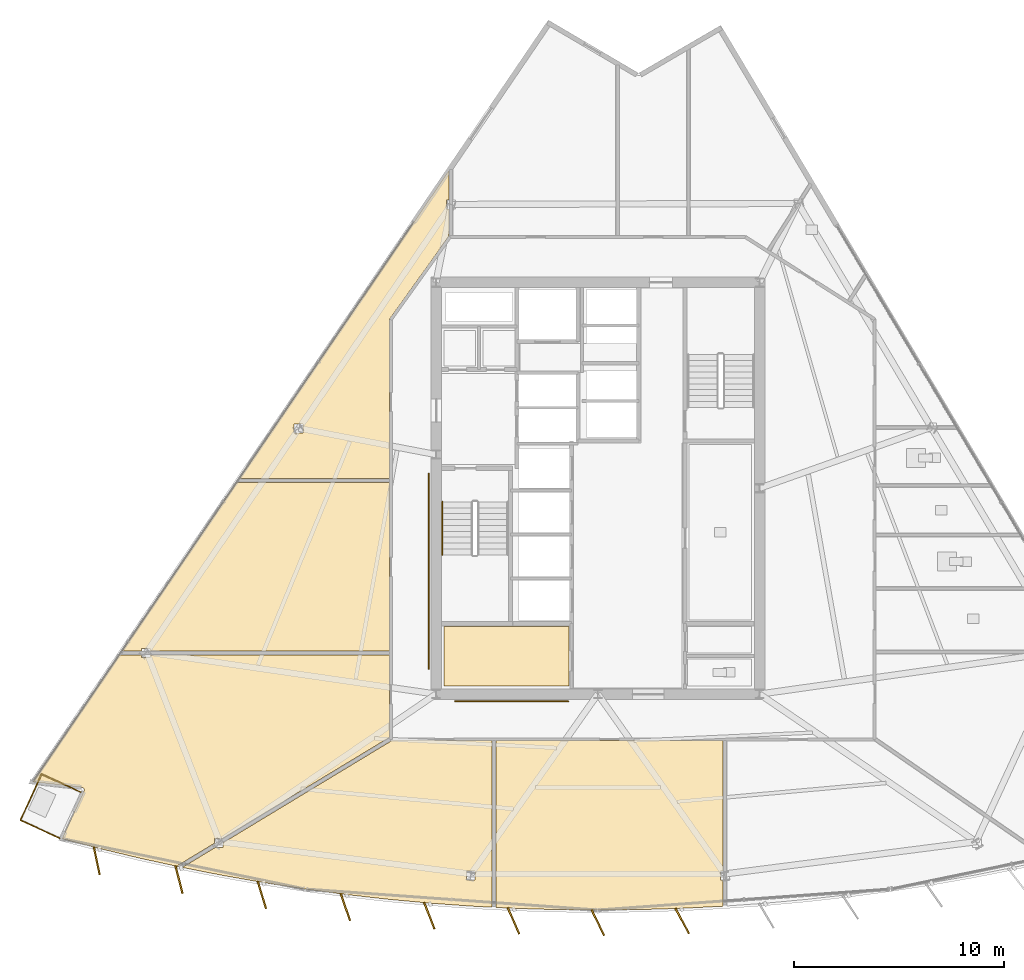
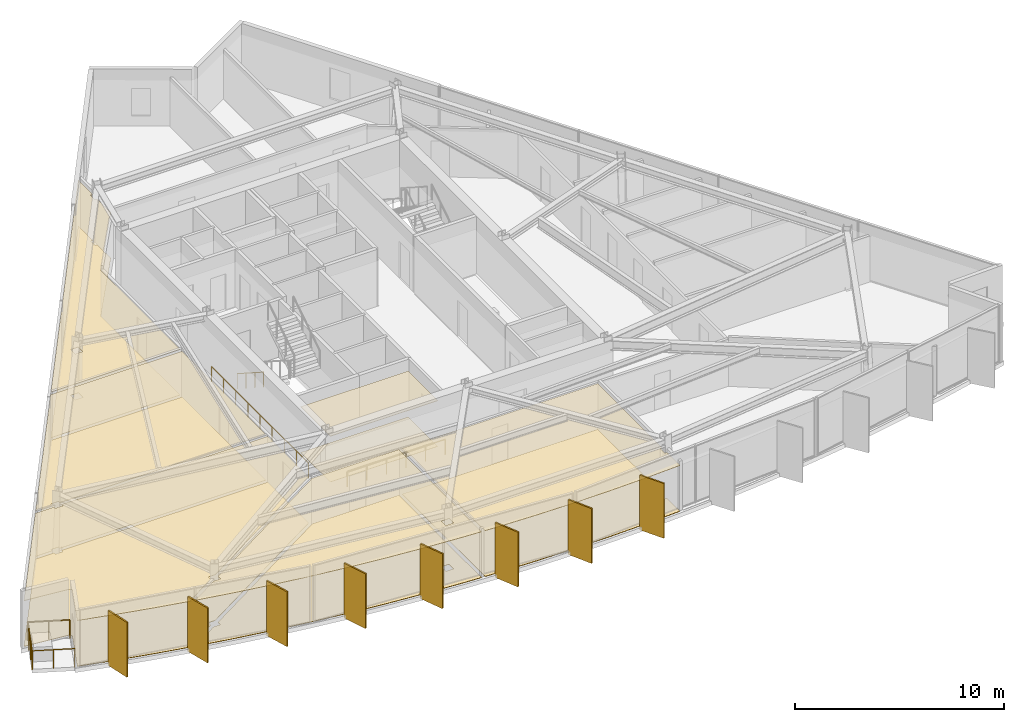
# One storey, part 11 of 15: 12 coverings, 8 shading devices, 6 railings.
"""IFC4 building model written with IfcOpenShell, lengths in metres."""

from ifc_helpers import new_model, si_unit, direction, frame, origin, origin_2d, place, context, subcontext, project, spatial, polyline, rectangle, circle, outline, extrude, material, layer, layer_set, type_object, element, save


model = new_model("IFC4")

# Units and contexts
model_context = context("Model", 3, precision=1e-05, world=origin(), true_north=direction((0.0, 1.0)))
body_context = subcontext(model_context, "Body", "Model", "MODEL_VIEW")
ifc_project = project(units=[si_unit("LENGTHUNIT", "METRE"), si_unit("AREAUNIT", "SQUARE_METRE"), si_unit("VOLUMEUNIT", "CUBIC_METRE"), si_unit("PLANEANGLEUNIT", "RADIAN"), si_unit("MASSUNIT", "GRAM", prefix="KILO")], contexts=[model_context])

# Site, building, storey
site_placement = place(None, origin())
site = spatial("IfcSite", under=ifc_project, at=site_placement, CompositionType="ELEMENT")
building_placement = place(site_placement, origin())
building = spatial("IfcBuilding", under=site, at=building_placement, Name="Savorim Split Tower", CompositionType="ELEMENT")
storey_placement = place(building_placement, frame((0.0, 0.0, 142.199951171875)))
storey = spatial("IfcBuildingStorey", under=building, at=storey_placement, Name="L37", CompositionType="ELEMENT", Elevation=142.199951171875)

# Coverings
ifc_material_1 = material(Name="Mineral Fibre Acoustic Ceiling")
ifc_layer_1 = layer(ifc_material_1, 0.02490234375)
ifc_layer_set_1 = layer_set([ifc_layer_1], Name="COV-CEIL-25")
covering_type_1 = type_object("IfcCoveringType", Name="COV-CEIL-25", PredefinedType="CEILING", material=ifc_layer_set_1)
covering_1_placement = place(storey_placement, frame((0.0, 0.0, 2.670166015625)))
element("IfcCovering", 1, at=covering_1_placement, inside=storey, type_object=covering_type_1, Name="L37 Housekeeping Store Acoustic Ceiling", PredefinedType="CEILING", context=body_context, shape_type="SweptSolid", body=[
    extrude(outline(polyline([(-7.320068359375, -6.179931640625), (-7.320068359375, -9.02001953125), (-1.3798828125, -9.02001953125), (-1.3798828125, -6.179931640625), (-7.320068359375, -6.179931640625)])), origin(), (0.0, 0.0, 1.0), 0.02490234375),
])
covering_2_placement = place(storey_placement, frame((0.0, 0.0, 2.670166015625)))
element("IfcCovering", 2, at=covering_2_placement, inside=storey, type_object=covering_type_1, Name="L37 Co-Working Commons Acoustic Ceiling", PredefinedType="CEILING", context=body_context, shape_type="SweptSolid", body=[
    extrude(outline(polyline([(-21.3095703125, -7.228515625), (-21.3095703125, -7.346923828125), (-9.919921875, -7.346923828125), (-9.919921875, 0.66552734375), (-17.1962890625, 0.66552734375), (-22.647216796875, -7.346923828125), (-21.7333984375, -7.346923828125), (-21.7333984375, -7.228515625), (-21.3095703125, -7.228515625)])), origin(), (0.0, 0.0, 1.0), 0.02490234375),
])
covering_3_placement = place(storey_placement, frame((0.0, 0.0, 2.670166015625)))
element("IfcCovering", 3, at=covering_3_placement, inside=storey, type_object=covering_type_1, Name="L37 Maker Workshop Acoustic Ceiling", PredefinedType="CEILING", context=body_context, shape_type="SweptSolid", body=[
    extrude(outline(polyline([(-24.447265625, -13.9619140625), (-24.447998046875, -13.973876953125), (-24.4501953125, -13.985595703125), (-24.45361328125, -13.9970703125), (-24.4580078125, -14.00830078125), (-25.5048828125, -16.28662109375), (-23.711181640625, -16.755615234375), (-21.770263671875, -17.220947265625), (-19.949951171875, -17.6181640625), (-19.98828125, -17.554931640625), (-18.2568359375, -16.507080078125), (-18.2568359375, -16.2763671875), (-17.87548828125, -16.2763671875), (-9.9453125, -11.476318359375), (-9.919921875, -11.4609375), (-9.919921875, -7.536865234375), (-21.3095703125, -7.536865234375), (-21.3095703125, -7.655517578125), (-21.7333984375, -7.655517578125), (-21.7333984375, -7.536865234375), (-22.651123046875, -7.536865234375), (-22.74609375, -7.536865234375), (-22.74609375, -7.49267578125), (-26.88623046875, -13.578369140625), (-24.5537109375, -13.8388671875), (-24.5419921875, -13.8408203125), (-24.530517578125, -13.84375), (-24.519287109375, -13.847900390625), (-24.508544921875, -13.853271484375), (-24.49853515625, -13.859619140625), (-24.489013671875, -13.866943359375), (-24.48046875, -13.875244140625), (-24.47265625, -13.88427734375), (-24.4658203125, -13.893798828125), (-24.459716796875, -13.904296875), (-24.455078125, -13.915283203125), (-24.451416015625, -13.926513671875), (-24.44873046875, -13.938232421875), (-24.447509765625, -13.9501953125), (-24.447265625, -13.9619140625)])), origin(), (0.0, 0.0, 1.0), 0.02490234375),
])
covering_4_placement = place(storey_placement, frame((0.0, 0.0, 2.670166015625)))
element("IfcCovering", 4, at=covering_4_placement, inside=storey, type_object=covering_type_1, Name="L37 Co-Working Commons Acoustic Ceiling", PredefinedType="CEILING", context=body_context, shape_type="SweptSolid", body=[
    extrude(outline(polyline([(-9.962158203125, -19.17138671875), (-7.974853515625, -19.35498046875), (-5.98388671875, -19.497802734375), (-5.03857421875, -19.546142578125), (-5.03857421875, -11.6201171875), (-9.780029296875, -11.6201171875), (-9.793701171875, -11.619384765625), (-9.807373046875, -11.6171875), (-9.81005859375, -11.61669921875), (-17.832763671875, -16.472412109375), (-17.832763671875, -16.703369140625), (-18.214111328125, -16.703369140625), (-19.7841796875, -17.653564453125), (-17.86181640625, -18.031982421875), (-15.89599609375, -18.37744140625), (-13.923828125, -18.6826171875), (-11.945556640625, -18.947265625), (-9.962158203125, -19.17138671875)]), holes=[polyline([(-6.259765625, -18.24365234375), (-5.835693359375, -18.24365234375), (-5.835693359375, -17.816650390625), (-6.259765625, -17.816650390625), (-6.259765625, -18.24365234375)])]), origin(), (0.0, 0.0, 1.0), 0.02490234375),
])
covering_5_placement = place(storey_placement, frame((0.0, 0.0, 2.670166015625)))
element("IfcCovering", 5, at=covering_5_placement, inside=storey, type_object=covering_type_1, Name="L37 Maker Workshop Acoustic Ceiling", PredefinedType="CEILING", context=body_context, shape_type="SweptSolid", body=[
    extrude(outline(polyline([(-1.99560546875, -19.6611328125), (0.0, -19.681640625), (1.99560546875, -19.6611328125), (3.99072265625, -19.599853515625), (5.952880859375, -19.49951171875), (5.952880859375, -18.24365234375), (5.835693359375, -18.24365234375), (5.835693359375, -17.816650390625), (5.952880859375, -17.816650390625), (5.952880859375, -11.6201171875), (-4.8486328125, -11.6201171875), (-4.8486328125, -19.555908203125), (-3.99072265625, -19.599853515625), (-1.99560546875, -19.6611328125)])), origin(), (0.0, 0.0, 1.0), 0.02490234375),
])
covering_6_placement = place(storey_placement, frame((0.0, 0.0, 2.670166015625)))
element("IfcCovering", 6, at=covering_6_placement, inside=storey, type_object=covering_type_1, Name="L37 Maker Workshop Acoustic Ceiling", PredefinedType="CEILING", context=body_context, shape_type="SweptSolid", body=[
    extrude(outline(polyline([(-7.105712890625, 12.3720703125), (-7.096435546875, 12.381591796875), (-7.089111328125, 12.387939453125), (-7.089111328125, 13.69970703125), (-7.2060546875, 13.69970703125), (-7.2060546875, 14.126708984375), (-7.089111328125, 14.126708984375), (-7.089111328125, 15.523193359375), (-17.067138671875, 0.855712890625), (-9.919921875, 0.85546875), (-9.919921875, 8.39990234375), (-9.919189453125, 8.41455078125), (-9.9169921875, 8.4287109375), (-9.913330078125, 8.44287109375), (-9.908203125, 8.456298828125), (-9.901611328125, 8.46923828125), (-9.893798828125, 8.4814453125), (-7.11376953125, 12.361572265625), (-7.105712890625, 12.3720703125)]), holes=[polyline([(-14.4697265625, 3.44921875), (-14.4697265625, 3.022216796875), (-14.045654296875, 3.022216796875), (-14.045654296875, 3.44921875), (-14.4697265625, 3.44921875)])]), origin(), (0.0, 0.0, 1.0), 0.02490234375),
])
ifc_material_2 = material(Name="Porcelain Stoneware Flooring", Category="masonry")
ifc_layer_2 = layer(ifc_material_2, 0.02001953125)
ifc_layer_set_2 = layer_set([ifc_layer_2], Name="COV-FLOR-20")
covering_type_2 = type_object("IfcCoveringType", Name="COV-FLOR-20", PredefinedType="FLOORING", material=ifc_layer_set_2)
covering_7_placement = place(storey_placement, origin())
element("IfcCovering", 7, at=covering_7_placement, inside=storey, type_object=covering_type_2, Name="L37 Housekeeping Store Porcelain Flooring", PredefinedType="FLOORING", context=body_context, shape_type="SweptSolid", body=[
    extrude(outline(polyline([(-7.320068359375, -6.179931640625), (-7.320068359375, -9.02001953125), (-1.3798828125, -9.02001953125), (-1.3798828125, -6.179931640625), (-7.320068359375, -6.179931640625)])), origin(), (0.0, 0.0, 1.0), 0.02001953125),
])
covering_8_placement = place(storey_placement, origin())
element("IfcCovering", 8, at=covering_8_placement, inside=storey, type_object=covering_type_2, Name="L37 Co-Working Commons Porcelain Flooring", PredefinedType="FLOORING", context=body_context, shape_type="SweptSolid", body=[
    extrude(outline(polyline([(-21.3095703125, -7.228515625), (-21.3095703125, -7.346923828125), (-9.919921875, -7.346923828125), (-9.919921875, 0.66552734375), (-17.1962890625, 0.66552734375), (-22.647216796875, -7.346923828125), (-21.7333984375, -7.346923828125), (-21.7333984375, -7.228515625), (-21.3095703125, -7.228515625)])), origin(), (0.0, 0.0, 1.0), 0.02001953125),
])
covering_9_placement = place(storey_placement, origin())
element("IfcCovering", 9, at=covering_9_placement, inside=storey, type_object=covering_type_2, Name="L37 Maker Workshop Porcelain Flooring", PredefinedType="FLOORING", context=body_context, shape_type="SweptSolid", body=[
    extrude(outline(polyline([(-24.447265625, -13.9619140625), (-24.447998046875, -13.973876953125), (-24.4501953125, -13.985595703125), (-24.45361328125, -13.9970703125), (-24.4580078125, -14.00830078125), (-25.5048828125, -16.28662109375), (-23.711181640625, -16.755615234375), (-21.770263671875, -17.220947265625), (-19.949951171875, -17.6181640625), (-19.98828125, -17.554931640625), (-18.2568359375, -16.507080078125), (-18.2568359375, -16.2763671875), (-17.87548828125, -16.2763671875), (-9.9453125, -11.476318359375), (-9.919921875, -11.4609375), (-9.919921875, -7.536865234375), (-21.3095703125, -7.536865234375), (-21.3095703125, -7.655517578125), (-21.7333984375, -7.655517578125), (-21.7333984375, -7.536865234375), (-22.651123046875, -7.536865234375), (-22.74609375, -7.536865234375), (-22.74609375, -7.49267578125), (-26.88623046875, -13.578369140625), (-24.5537109375, -13.8388671875), (-24.5419921875, -13.8408203125), (-24.530517578125, -13.84375), (-24.519287109375, -13.847900390625), (-24.508544921875, -13.853271484375), (-24.49853515625, -13.859619140625), (-24.489013671875, -13.866943359375), (-24.48046875, -13.875244140625), (-24.47265625, -13.88427734375), (-24.4658203125, -13.893798828125), (-24.459716796875, -13.904296875), (-24.455078125, -13.915283203125), (-24.451416015625, -13.926513671875), (-24.44873046875, -13.938232421875), (-24.447509765625, -13.9501953125), (-24.447265625, -13.9619140625)])), origin(), (0.0, 0.0, 1.0), 0.02001953125),
])
covering_10_placement = place(storey_placement, origin())
element("IfcCovering", 10, at=covering_10_placement, inside=storey, type_object=covering_type_2, Name="L37 Co-Working Commons Porcelain Flooring", PredefinedType="FLOORING", context=body_context, shape_type="SweptSolid", body=[
    extrude(outline(polyline([(-9.962158203125, -19.17138671875), (-7.974853515625, -19.35498046875), (-5.98388671875, -19.497802734375), (-5.03857421875, -19.546142578125), (-5.03857421875, -11.6201171875), (-9.780029296875, -11.6201171875), (-9.793701171875, -11.619384765625), (-9.807373046875, -11.6171875), (-9.81005859375, -11.61669921875), (-17.832763671875, -16.472412109375), (-17.832763671875, -16.703369140625), (-18.214111328125, -16.703369140625), (-19.7841796875, -17.653564453125), (-17.86181640625, -18.031982421875), (-15.89599609375, -18.37744140625), (-13.923828125, -18.6826171875), (-11.945556640625, -18.947265625), (-9.962158203125, -19.17138671875)]), holes=[polyline([(-6.259765625, -18.24365234375), (-5.835693359375, -18.24365234375), (-5.835693359375, -17.816650390625), (-6.259765625, -17.816650390625), (-6.259765625, -18.24365234375)])]), origin(), (0.0, 0.0, 1.0), 0.02001953125),
])
covering_11_placement = place(storey_placement, origin())
element("IfcCovering", 11, at=covering_11_placement, inside=storey, type_object=covering_type_2, Name="L37 Maker Workshop Porcelain Flooring", PredefinedType="FLOORING", context=body_context, shape_type="SweptSolid", body=[
    extrude(outline(polyline([(-1.99560546875, -19.6611328125), (0.0, -19.681640625), (1.99560546875, -19.6611328125), (3.99072265625, -19.599853515625), (5.952880859375, -19.49951171875), (5.952880859375, -18.24365234375), (5.835693359375, -18.24365234375), (5.835693359375, -17.816650390625), (5.952880859375, -17.816650390625), (5.952880859375, -11.6201171875), (-4.8486328125, -11.6201171875), (-4.8486328125, -19.555908203125), (-3.99072265625, -19.599853515625), (-1.99560546875, -19.6611328125)])), origin(), (0.0, 0.0, 1.0), 0.02001953125),
])
covering_12_placement = place(storey_placement, origin())
element("IfcCovering", 12, at=covering_12_placement, inside=storey, type_object=covering_type_2, Name="L37 Maker Workshop Porcelain Flooring", PredefinedType="FLOORING", context=body_context, shape_type="SweptSolid", body=[
    extrude(outline(polyline([(-7.105712890625, 12.3720703125), (-7.096435546875, 12.381591796875), (-7.089111328125, 12.387939453125), (-7.089111328125, 13.69970703125), (-7.2060546875, 13.69970703125), (-7.2060546875, 14.126708984375), (-7.089111328125, 14.126708984375), (-7.089111328125, 15.523193359375), (-17.067138671875, 0.855712890625), (-9.919921875, 0.85546875), (-9.919921875, 8.39990234375), (-9.919189453125, 8.41455078125), (-9.9169921875, 8.4287109375), (-9.913330078125, 8.44287109375), (-9.908203125, 8.456298828125), (-9.901611328125, 8.46923828125), (-9.893798828125, 8.4814453125), (-7.11376953125, 12.361572265625), (-7.105712890625, 12.3720703125)]), holes=[polyline([(-14.4697265625, 3.44921875), (-14.4697265625, 3.022216796875), (-14.045654296875, 3.022216796875), (-14.045654296875, 3.44921875), (-14.4697265625, 3.44921875)])]), origin(), (0.0, 0.0, 1.0), 0.02001953125),
])

# Railings
ifc_material_3 = material(Name="Galvanised Painted Steel Balustrade", Category="steel")
railing_type_1 = type_object("IfcRailingType", Name="RLG-BAL-1100", PredefinedType="BALUSTRADE", material=ifc_material_3)
railing_1_placement = place(storey_placement, frame((-25.62353515625, -16.25732421875, 0.0)))
element("IfcRailing", 13, at=railing_1_placement, inside=storey, type_object=railing_type_1, Name="L37 Tree Balcony Guardrail SW-1", PredefinedType="BALUSTRADE", context=body_context, shape_type="SweptSolid", body=[
    extrude(circle(Radius=0.02392578125, at=origin_2d()), frame((0.0, 0.0, 1.076171875), z_axis=(-0.908707369925, 0.417433726289, 0.0), x_axis=(-0.417433726289, -0.908707369925, 0.0)), (0.0, 0.0, 1.0), 2.050048828125),
    extrude(circle(Radius=0.02099609375, at=origin_2d()), origin(), (0.0, 0.0, 1.0), 1.052001953125),
    extrude(circle(Radius=0.02099609375, at=origin_2d()), frame((-0.931396484375, 0.427734375, 0.0)), (0.0, 0.0, 1.0), 1.052001953125),
    extrude(circle(Radius=0.02099609375, at=origin_2d()), frame((-1.86279296875, 0.855712890625, 0.0)), (0.0, 0.0, 1.0), 1.052001953125),
])
railing_2_placement = place(storey_placement, frame((-27.486328125, -15.401611328125, 0.0)))
element("IfcRailing", 14, at=railing_2_placement, inside=storey, type_object=railing_type_1, Name="L37 Tree Balcony Guardrail SW-2", PredefinedType="BALUSTRADE", context=body_context, shape_type="SweptSolid", body=[
    extrude(circle(Radius=0.02392578125, at=origin_2d()), frame((0.0, 0.0, 1.076171875), z_axis=(0.417477569656, 0.908687228277, 0.0), x_axis=(-0.908687228277, 0.417477569656, 0.0)), (0.0, 0.0, 1.0), 2.41064453125),
    extrude(circle(Radius=0.02099609375, at=origin_2d()), origin(), (0.0, 0.0, 1.0), 1.052001953125),
    extrude(circle(Radius=0.02099609375, at=origin_2d()), frame((0.33544921875, 0.730224609375, 0.0)), (0.0, 0.0, 1.0), 1.052001953125),
    extrude(circle(Radius=0.02099609375, at=origin_2d()), frame((0.6708984375, 1.460205078125, 0.0)), (0.0, 0.0, 1.0), 1.052001953125),
    extrude(circle(Radius=0.02099609375, at=origin_2d()), frame((1.00634765625, 2.1904296875, 0.0)), (0.0, 0.0, 1.0), 1.052001953125),
])
railing_3_placement = place(storey_placement, frame((-26.47998046875, -13.211181640625, 0.0)))
element("IfcRailing", 15, at=railing_3_placement, inside=storey, type_object=railing_type_1, Name="L37 Tree Balcony Guardrail SW-3", PredefinedType="BALUSTRADE", context=body_context, shape_type="SweptSolid", body=[
    extrude(circle(Radius=0.02392578125, at=origin_2d()), frame((0.0, 0.0, 1.076171875), z_axis=(0.908662190505, -0.417532062898, 0.0), x_axis=(0.417532062898, 0.908662190505, 0.0)), (0.0, 0.0, 1.0), 2.050048828125),
    extrude(circle(Radius=0.02099609375, at=origin_2d()), origin(), (0.0, 0.0, 1.0), 1.052001953125),
    extrude(circle(Radius=0.02099609375, at=origin_2d()), frame((0.931396484375, -0.427978515625, 0.0)), (0.0, 0.0, 1.0), 1.052001953125),
    extrude(circle(Radius=0.02099609375, at=origin_2d()), frame((1.86279296875, -0.85595703125, 0.0)), (0.0, 0.0, 1.0), 1.052001953125),
])
railing_type_2 = type_object("IfcRailingType", Name="RLG-HR-900", PredefinedType="HANDRAIL", material=ifc_material_3)
railing_4_placement = place(storey_placement, frame((-7.39990234375, -0.25, 0.179931640625)))
element("IfcRailing", 16, at=railing_4_placement, inside=storey, type_object=railing_type_2, Name="L37 ST-1 stair handrail 1", PredefinedType="HANDRAIL", context=body_context, shape_type="SweptSolid", body=[
    extrude(circle(Radius=0.02392578125, at=origin_2d()), frame((0.0, 0.0, 0.8759765625), z_axis=(0.0, -0.841162588446, 0.540782303519), x_axis=(1.0, 0.0, 0.0)), (0.0, 0.0, 1.0), 2.995849609375),
    extrude(circle(Radius=0.02099609375, at=origin_2d()), origin(), (0.0, 0.0, 1.0), 0.851806640625),
    extrude(circle(Radius=0.02099609375, at=origin_2d()), frame((0.0, -0.840087890625, 0.5400390625)), (0.0, 0.0, 1.0), 0.851806640625),
    extrude(circle(Radius=0.02099609375, at=origin_2d()), frame((0.0, -1.679931640625, 1.080078125)), (0.0, 0.0, 1.0), 0.851806640625),
    extrude(circle(Radius=0.02099609375, at=origin_2d()), frame((0.0, -2.52001953125, 1.6201171875)), (0.0, 0.0, 1.0), 0.851806640625),
])
railing_5_placement = place(storey_placement, frame((-6.800048828125, -9.75, 0.0)))
element("IfcRailing", 17, at=railing_5_placement, inside=storey, type_object=railing_type_2, Name="L37 Corridor South Accessible Handrail", PredefinedType="HANDRAIL", context=body_context, shape_type="SweptSolid", body=[
    extrude(circle(Radius=0.02392578125, at=origin_2d()), frame((0.0, 0.0, 0.8759765625), z_axis=(1.0, 0.0, 0.0), x_axis=(0.0, 1.0, 0.0)), (0.0, 0.0, 1.0), 5.400146484375),
    extrude(circle(Radius=0.02099609375, at=origin_2d()), origin(), (0.0, 0.0, 1.0), 0.851806640625),
    extrude(circle(Radius=0.02099609375, at=origin_2d()), frame((1.080078125, 0.0, 0.0)), (0.0, 0.0, 1.0), 0.851806640625),
    extrude(circle(Radius=0.02099609375, at=origin_2d()), frame((2.16015625, 0.0, 0.0)), (0.0, 0.0, 1.0), 0.851806640625),
    extrude(circle(Radius=0.02099609375, at=origin_2d()), frame((3.239990234375, 0.0, 0.0)), (0.0, 0.0, 1.0), 0.851806640625),
    extrude(circle(Radius=0.02099609375, at=origin_2d()), frame((4.320068359375, 0.0, 0.0)), (0.0, 0.0, 1.0), 0.851806640625),
    extrude(circle(Radius=0.02099609375, at=origin_2d()), frame((5.400146484375, 0.0, 0.0)), (0.0, 0.0, 1.0), 0.851806640625),
])
railing_6_placement = place(storey_placement, frame((-8.050048828125, -8.199951171875, 0.0)))
element("IfcRailing", 18, at=railing_6_placement, inside=storey, type_object=railing_type_2, Name="L37 Corridor West Accessible Handrail", PredefinedType="HANDRAIL", context=body_context, shape_type="SweptSolid", body=[
    extrude(circle(Radius=0.02392578125, at=origin_2d()), frame((0.0, 0.0, 0.8759765625), z_axis=(0.0, 1.0, 0.0), x_axis=(-1.0, 0.0, 0.0)), (0.0, 0.0, 1.0), 9.300048828125),
    extrude(circle(Radius=0.02099609375, at=origin_2d()), origin(), (0.0, 0.0, 1.0), 0.851806640625),
    extrude(circle(Radius=0.02099609375, at=origin_2d()), frame((0.0, 1.16259765625, 0.0)), (0.0, 0.0, 1.0), 0.851806640625),
    extrude(circle(Radius=0.02099609375, at=origin_2d()), frame((0.0, 2.324951171875, 0.0)), (0.0, 0.0, 1.0), 0.851806640625),
    extrude(circle(Radius=0.02099609375, at=origin_2d()), frame((0.0, 3.487548828125, 0.0)), (0.0, 0.0, 1.0), 0.851806640625),
    extrude(circle(Radius=0.02099609375, at=origin_2d()), frame((0.0, 4.64990234375, 0.0)), (0.0, 0.0, 1.0), 0.851806640625),
    extrude(circle(Radius=0.02099609375, at=origin_2d()), frame((0.0, 5.8125, 0.0)), (0.0, 0.0, 1.0), 0.851806640625),
    extrude(circle(Radius=0.02099609375, at=origin_2d()), frame((0.0, 6.97509765625, 0.0)), (0.0, 0.0, 1.0), 0.851806640625),
    extrude(circle(Radius=0.02099609375, at=origin_2d()), frame((0.0, 8.137451171875, 0.0)), (0.0, 0.0, 1.0), 0.851806640625),
    extrude(circle(Radius=0.02099609375, at=origin_2d()), frame((0.0, 9.300048828125, 0.0)), (0.0, 0.0, 1.0), 0.851806640625),
])

# Shading devices
ifc_material_4 = material(Name="Terracotta Ceramic-Coated Aluminium Fin", Category="masonry")
shading_device_type = type_object("IfcShadingDeviceType", Name="SHD-FIN-1360", PredefinedType="USERDEFINED", material=ifc_material_4)
for number, where, z_axis, x_axis, name in (
    (19, (-23.85595703125, -17.333740234375, -0.19970703125), (0.0, 0.0, 1.0), (0.206721626106, -0.978399800337, 0.0), "L37 Sawtooth Shading Fin 01"),
    (20, (-19.94140625, -18.22998046875, -0.19970703125), (0.0, 0.0, 1.0), (0.246581250663, -0.969122121727, 0.0), "L37 Sawtooth Shading Fin 02"),
    (21, (-15.993408203125, -18.965576171875, -0.19970703125), (0.0, 0.0, 1.0), (0.286026212504, -0.958221793616, 0.0), "L37 Sawtooth Shading Fin 03"),
    (22, (-12.0185546875, -19.538818359375, -0.19970703125), (0.0, 0.0, 1.0), (0.324993810493, -0.945716143005, 0.0), "L37 Sawtooth Shading Fin 04"),
    (23, (-8.0234375, -19.948974609375, -0.19970703125), (0.0, 0.0, 1.0), (0.363415461732, -0.931627179817, 0.0), "L37 Sawtooth Shading Fin 05"),
    (24, (-4.01513671875, -20.1953125, -0.19970703125), (0.0, 0.0, 1.0), (0.401230091723, -0.915977299662, 0.0), "L37 Sawtooth Shading Fin 06"),
    (25, (0.0, -20.277587890625, -0.19970703125), (0.0, 0.0, 1.0), (0.438371146789, -0.898794046299, 0.0), "L37 Sawtooth Shading Fin 07"),
    (26, (4.01513671875, -20.1953125, -0.19970703125), (0.0, 0.0, 1.0), (0.474778051978, -0.880105562623, 0.0), "L37 Sawtooth Shading Fin 08"),
):
    element("IfcShadingDevice", number, at=place(storey_placement, frame(where, z_axis=z_axis, x_axis=x_axis)), inside=storey, type_object=shading_device_type, Name=name, ObjectType="FIN", PredefinedType="USERDEFINED", context=body_context, shape_type="SweptSolid", body=[
        extrude(rectangle(XDim=1.360107421875, YDim=0.080078125, at=origin_2d()), origin(), (0.0, 0.0, 1.0), 3.199951171875),
    ])

save(model, "model.ifc")
